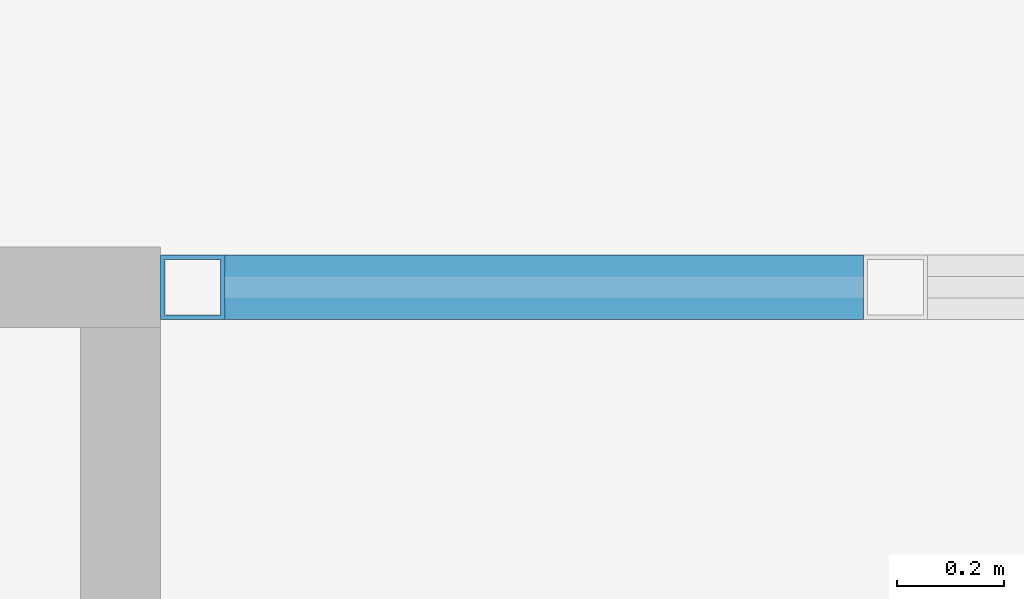
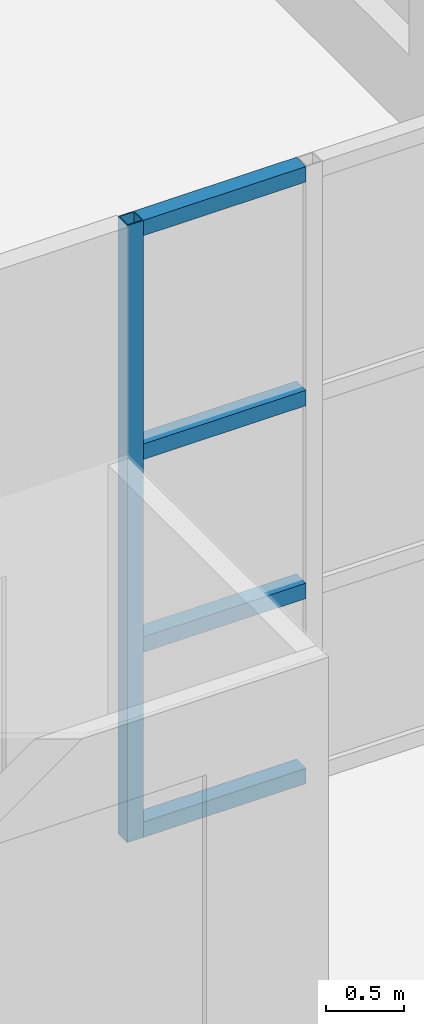
# One storey, part 47 of 168: 5 members, 1 element without a shape of its own.
"""IFC4 building model written with IfcOpenShell, lengths in metres."""

from ifc_helpers import new_model, si_unit, direction, frame, origin, origin_2d, place, context, subcontext, project, spatial, hollow_rectangle, extrude, material, material_profile, profile_set, type_object, element, aggregate, save


model = new_model("IFC4")

# Units and contexts
model_context = context("Model", 3, precision=1e-05, world=origin(), true_north=direction((0.0, 1.0)))
body_context = subcontext(model_context, "Body", "Model", "MODEL_VIEW")
ifc_project = project(units=[si_unit("LENGTHUNIT", "METRE"), si_unit("AREAUNIT", "SQUARE_METRE"), si_unit("VOLUMEUNIT", "CUBIC_METRE"), si_unit("PLANEANGLEUNIT", "RADIAN"), si_unit("MASSUNIT", "GRAM", prefix="KILO")], contexts=[model_context])

# Site, building, storey
site_placement = place(None, origin())
site = spatial("IfcSite", under=ifc_project, at=site_placement, CompositionType="ELEMENT")
building_placement = place(site_placement, origin())
building = spatial("IfcBuilding", under=site, at=building_placement, Name="Golden Quay Civic Hall", CompositionType="ELEMENT")
storey_placement = place(building_placement, origin())
storey = spatial("IfcBuildingStorey", under=building, at=storey_placement, Name="L00", CompositionType="ELEMENT", Elevation=0.0)

# Curtain wall, members
ifc_material_1 = material(Name="Fire-resisting glass and steel", Category="steel")
curtain_wall_type = type_object("IfcCurtainWallType", Name="Fire-resisting glazed curtain wall EI 120", PredefinedType="NOTDEFINED", material=ifc_material_1)
curtain_wall_placement = place(storey_placement, origin())
curtain_wall = element("IfcCurtainWall", 1, at=curtain_wall_placement, inside=storey, type_object=curtain_wall_type, Name="CW3 curtain wall", PredefinedType="NOTDEFINED")
ifc_material_2 = material(Name="Steel S355", Category="steel")
ifc_material_profile_1 = material_profile(ifc_material_2, hollow_rectangle(XDim=0.1201171875, YDim=0.1201171875, WallThickness=0.008056640625, at=origin_2d()), Name="SHS 120x120x8")
ifc_profile_set_1 = profile_set([ifc_material_profile_1], Name="Steel S355")
member_type_1 = type_object("IfcMemberType", Name="Fire-resisting steel mullion SHS 120x120x8", PredefinedType="MULLION", material=ifc_profile_set_1)
member_1_placement = place(storey_placement, frame((93.360107421875, 18.27001953125, 0.0), z_axis=(0.0, 0.0, 1.0), x_axis=(0.0, 1.0, 0.0)))
member_1 = element("IfcMember", 2, at=member_1_placement, type_object=member_type_1, Name="CW3 mullion 1", PredefinedType="MULLION", context=body_context, shape_type="SweptSolid", body=[
    extrude(hollow_rectangle(XDim=0.1201171875, YDim=0.1201171875, WallThickness=0.008056640625, at=origin_2d()), origin(), (0.0, 0.0, 1.0), 4.800048828125),
])
ifc_material_3 = material(Name="Steel S355", Category="steel")
ifc_material_profile_2 = material_profile(ifc_material_3, hollow_rectangle(XDim=0.1201171875, YDim=0.1201171875, WallThickness=0.008056640625, at=origin_2d()), Name="SHS 120x120x8")
ifc_profile_set_2 = profile_set([ifc_material_profile_2], Name="Steel S355")
member_type_2 = type_object("IfcMemberType", Name="Fire-resisting steel transom SHS 120x120x8", PredefinedType="USERDEFINED", material=ifc_profile_set_2)
member_2_placement = place(storey_placement, frame((93.419921875, 18.27001953125, 0.06005859375), z_axis=(1.0, 0.0, 0.0), x_axis=(0.0, 1.0, 0.0)))
member_2 = element("IfcMember", 3, at=member_2_placement, type_object=member_type_2, Name="CW3 transom 1.1", ObjectType="TRANSOM", PredefinedType="USERDEFINED", context=body_context, shape_type="SweptSolid", body=[
    extrude(hollow_rectangle(XDim=0.1201171875, YDim=0.1201171875, WallThickness=0.008056640625, at=origin_2d()), origin(), (0.0, 0.0, 1.0), 1.195068359375),
])
member_3_placement = place(storey_placement, frame((93.419921875, 18.27001953125, 1.5), z_axis=(1.0, 0.0, 0.0), x_axis=(0.0, 1.0, 0.0)))
member_3 = element("IfcMember", 4, at=member_3_placement, type_object=member_type_2, Name="CW3 transom 1.2", ObjectType="TRANSOM", PredefinedType="USERDEFINED", context=body_context, shape_type="SweptSolid", body=[
    extrude(hollow_rectangle(XDim=0.1201171875, YDim=0.1201171875, WallThickness=0.008056640625, at=origin_2d()), origin(), (0.0, 0.0, 1.0), 1.195068359375),
])
member_4_placement = place(storey_placement, frame((93.419921875, 18.27001953125, 3.0), z_axis=(1.0, 0.0, 0.0), x_axis=(0.0, 1.0, 0.0)))
member_4 = element("IfcMember", 5, at=member_4_placement, type_object=member_type_2, Name="CW3 transom 1.3", ObjectType="TRANSOM", PredefinedType="USERDEFINED", context=body_context, shape_type="SweptSolid", body=[
    extrude(hollow_rectangle(XDim=0.1201171875, YDim=0.1201171875, WallThickness=0.008056640625, at=origin_2d()), origin(), (0.0, 0.0, 1.0), 1.195068359375),
])
member_5_placement = place(storey_placement, frame((93.419921875, 18.27001953125, 4.739990234375), z_axis=(1.0, 0.0, 0.0), x_axis=(0.0, 1.0, 0.0)))
member_5 = element("IfcMember", 6, at=member_5_placement, type_object=member_type_2, Name="CW3 transom 1.4", ObjectType="TRANSOM", PredefinedType="USERDEFINED", context=body_context, shape_type="SweptSolid", body=[
    extrude(hollow_rectangle(XDim=0.1201171875, YDim=0.1201171875, WallThickness=0.008056640625, at=origin_2d()), origin(), (0.0, 0.0, 1.0), 1.195068359375),
])
aggregate(curtain_wall, [member_1, member_2, member_3, member_4, member_5])

save(model, "model.ifc")
